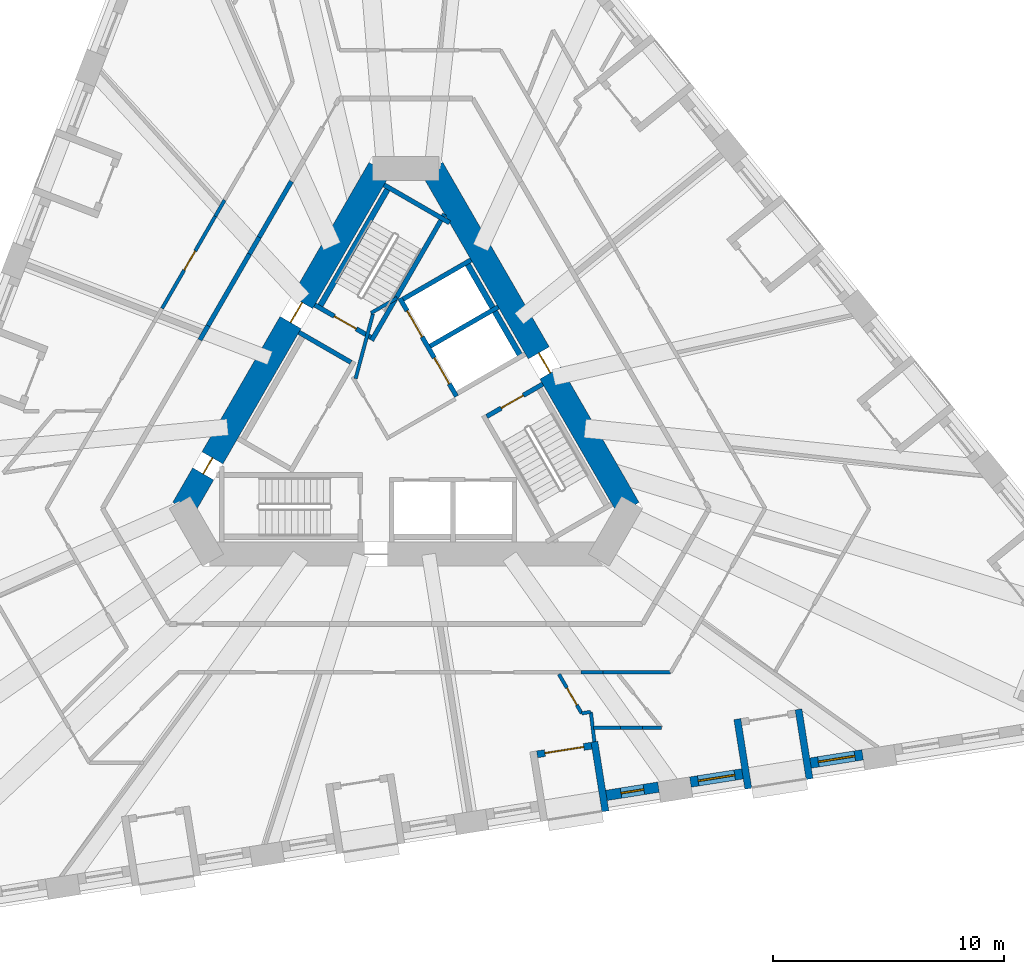
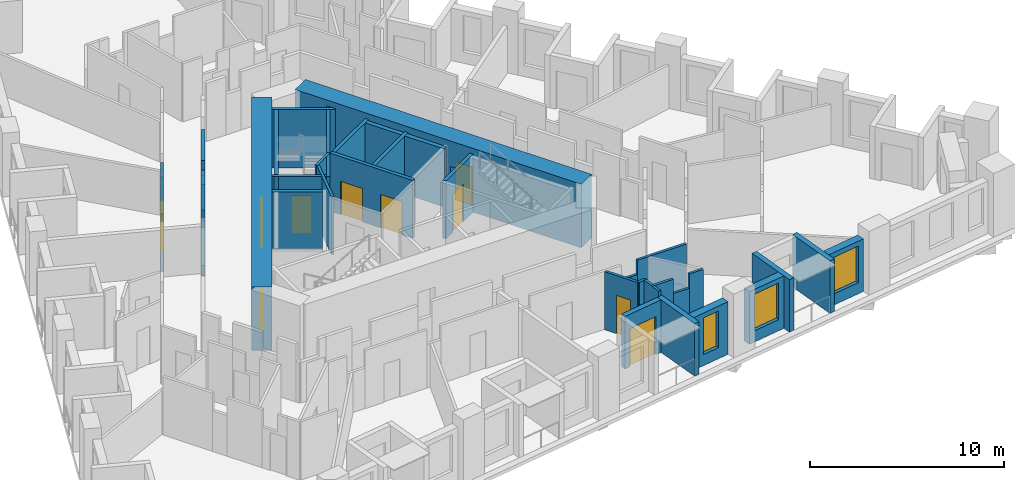
# One storey, part 5 of 14: 35 walls, 10 doors, 3 windows, 13 openings.
"""IFC4 building model written with IfcOpenShell, lengths in metres."""

from ifc_helpers import new_model, si_unit, direction, frame, frame_2d, origin, place, context, subcontext, project, spatial, rectangle, extrude, material, layer, layer_set, type_object, element, fill, save


model = new_model("IFC4")

# Units and contexts
model_context = context("Model", 3, precision=1e-05, world=origin(), true_north=direction((0.0, 1.0)))
body_context = subcontext(model_context, "Body", "Model", "MODEL_VIEW")
ifc_project = project(units=[si_unit("LENGTHUNIT", "METRE"), si_unit("AREAUNIT", "SQUARE_METRE"), si_unit("VOLUMEUNIT", "CUBIC_METRE"), si_unit("PLANEANGLEUNIT", "RADIAN"), si_unit("MASSUNIT", "GRAM", prefix="KILO")], contexts=[model_context])

# Site, building, storey
site_placement = place(None, origin())
site = spatial("IfcSite", under=ifc_project, at=site_placement, CompositionType="ELEMENT")
building_placement = place(site_placement, origin())
building = spatial("IfcBuilding", under=site, at=building_placement, Name="Tramontana Tower", CompositionType="ELEMENT")
storey_placement = place(building_placement, frame((0.0, 0.0, 55.199951171875)))
storey = spatial("IfcBuildingStorey", under=building, at=storey_placement, Name="L11", CompositionType="ELEMENT", Elevation=55.199951171875)

# Wall, openings, doors
ifc_material_1 = material(Name="Concrete 70 MPa", Category="concrete")
ifc_layer_1 = layer(ifc_material_1, 1.050048828125)
ifc_layer_set_1 = layer_set([ifc_layer_1], Name="Core wall 1050 70 MPa")
wall_type_1 = type_object("IfcWallType", Name="Core wall 1050 70 MPa", PredefinedType="SHEAR", material=ifc_layer_set_1)
wall_1_placement = place(storey_placement, frame((-1.140380859375, 10.47509765625, 0.0), z_axis=(0.0, 0.0, 1.0), x_axis=(-0.499985955615, -0.866033512162, 0.0)))
wall_1 = element("IfcWall", 1, at=wall_1_placement, inside=storey, type_object=wall_type_1, Name="Core wall C1 L11", PredefinedType="SHEAR", context=body_context, shape_type="SweptSolid", body=[
    extrude(rectangle(XDim=17.0029296875, YDim=1.050048828125, at=frame_2d((8.50146484375, 0.0))), origin(), (0.0, 0.0, 1.0), 4.0),
])
opening_1_placement = place(wall_1_placement, frame((6.70654296875, 0.0, 0.0)))
opening_1 = element("IfcOpeningElement", 2, at=opening_1_placement, cuts=wall_1, Name="Opening RG1", PredefinedType="OPENING", context=body_context, shape_type="SweptSolid", body=[
    extrude(rectangle(XDim=1.0, YDim=2.39990234375, at=frame_2d((0.5, 1.199951171875))), frame((0.0, 0.534912109375, 0.0), z_axis=(0.0, -1.0, 0.0), x_axis=(1.0, 0.0, 0.0)), (0.0, 0.0, 1.0), 1.070068359375),
])
opening_2_placement = place(wall_1_placement, frame((14.472412109375, 0.0, 0.0)))
opening_2 = element("IfcOpeningElement", 3, at=opening_2_placement, cuts=wall_1, Name="Opening PD1", PredefinedType="OPENING", context=body_context, shape_type="SweptSolid", body=[
    extrude(rectangle(XDim=0.800048828125, YDim=2.10009765625, at=frame_2d((0.39990234375, 1.050048828125))), frame((0.0, 0.534912109375, 0.0), z_axis=(0.0, -1.0, 0.0), x_axis=(1.0, 0.0, 0.0)), (0.0, 0.0, 1.0), 1.070068359375),
])
ifc_material_2 = material(Name="Painted steel", Category="steel")
door_type_1 = type_object("IfcDoorType", Name="CUPBOARD DOOR 800", OperationType="SINGLE_SWING_LEFT", PredefinedType="DOOR", material=ifc_material_2)
door_1_placement = place(opening_2_placement, origin())
door_1 = element("IfcDoor", 4, at=door_1_placement, inside=storey, type_object=door_type_1, Name="Door PD1", OperationType="SINGLE_SWING_RIGHT", OverallHeight=2.10009765625, OverallWidth=0.800048828125, PredefinedType="DOOR", context=body_context, shape_type="SweptSolid", body=[
    extrude(rectangle(XDim=0.800048828125, YDim=2.10009765625, at=frame_2d((0.39990234375, 1.050048828125))), frame((0.0, 0.02490234375, 0.0), z_axis=(0.0, -1.0, 0.0), x_axis=(1.0, 0.0, 0.0)), (0.0, 0.0, 1.0), 0.050048828125),
])
fill(opening_2, door_1)
ifc_material_3 = material(Name="Painted steel", Category="steel")
door_type_2 = type_object("IfcDoorType", Name="RING DOOR 1000", OperationType="SINGLE_SWING_LEFT", PredefinedType="DOOR", material=ifc_material_3)
door_2_placement = place(opening_1_placement, origin())
door_2 = element("IfcDoor", 5, at=door_2_placement, inside=storey, type_object=door_type_2, Name="Door RG1", OperationType="SINGLE_SWING_LEFT", OverallHeight=2.39990234375, OverallWidth=1.0, PredefinedType="DOOR", context=body_context, shape_type="SweptSolid", body=[
    extrude(rectangle(XDim=1.0, YDim=2.39990234375, at=frame_2d((0.5, 1.199951171875))), frame((0.0, 0.02490234375, 0.0), z_axis=(0.0, -1.0, 0.0), x_axis=(1.0, 0.0, 0.0)), (0.0, 0.0, 1.0), 0.050048828125),
])
fill(opening_1, door_2)

# Wall, opening, door
wall_2_placement = place(storey_placement, frame((9.6416015625, -4.25, 0.0), z_axis=(0.0, 0.0, 1.0), x_axis=(-0.499985955615, 0.866033512162, 0.0)))
wall_2 = element("IfcWall", 6, at=wall_2_placement, inside=storey, type_object=wall_type_1, Name="Core wall C5 L11", PredefinedType="SHEAR", context=body_context, shape_type="SweptSolid", body=[
    extrude(rectangle(XDim=17.0029296875, YDim=1.050048828125, at=frame_2d((8.50146484375, 0.0))), origin(), (0.0, 0.0, 1.0), 4.0),
])
opening_3_placement = place(wall_2_placement, frame((6.7763671875, 0.0, 0.0)))
opening_3 = element("IfcOpeningElement", 7, at=opening_3_placement, cuts=wall_2, Name="Opening RG3", PredefinedType="OPENING", context=body_context, shape_type="SweptSolid", body=[
    extrude(rectangle(XDim=1.0, YDim=2.39990234375, at=frame_2d((0.5, 1.199951171875))), frame((0.0, 0.534912109375, 0.0), z_axis=(0.0, -1.0, 0.0), x_axis=(1.0, 0.0, 0.0)), (0.0, 0.0, 1.0), 1.070068359375),
])
door_3_placement = place(opening_3_placement, origin())
door_3 = element("IfcDoor", 8, at=door_3_placement, inside=storey, type_object=door_type_2, Name="Door RG3", OperationType="SINGLE_SWING_LEFT", OverallHeight=2.39990234375, OverallWidth=1.0, PredefinedType="DOOR", context=body_context, shape_type="SweptSolid", body=[
    extrude(rectangle(XDim=1.0, YDim=2.39990234375, at=frame_2d((0.5, 1.199951171875))), frame((0.0, 0.02490234375, 0.0), z_axis=(0.0, -1.0, 0.0), x_axis=(1.0, 0.0, 0.0)), (0.0, 0.0, 1.0), 0.050048828125),
])
fill(opening_3, door_3)

# Walls
ifc_material_4 = material(Name="Blockwork", Category="masonry")
ifc_layer_2 = layer(ifc_material_4, 0.199951171875)
ifc_layer_set_2 = layer_set([ifc_layer_2], Name="ENTRY WALL 200")
wall_type_2 = type_object("IfcWallType", Name="ENTRY WALL 200", PredefinedType="SOLIDWALL", material=ifc_layer_set_2)
wall_3_placement = place(storey_placement, frame((-8.92041015625, 3.04931640625, 0.0), z_axis=(0.0, 0.0, 1.0), x_axis=(0.499881507708, 0.866093804534, 0.0)))
element("IfcWall", 9, at=wall_3_placement, inside=storey, type_object=wall_type_2, Name="Wall v10-ew4-3", PredefinedType="SOLIDWALL", context=body_context, shape_type="SweptSolid", body=[
    extrude(rectangle(XDim=0.708740234375, YDim=0.199951171875, at=frame_2d((0.3544921875, 0.0))), origin(), (0.0, 0.0, 1.0), 2.949951171875),
])
wall_4_placement = place(storey_placement, frame((-8.566162109375, 3.6630859375, 0.0), z_axis=(0.0, 0.0, 1.0), x_axis=(0.500013241293, 0.866017758786, 0.0)))
element("IfcWall", 10, at=wall_4_placement, inside=storey, type_object=wall_type_2, Name="Wall v10-ew4-4", PredefinedType="SOLIDWALL", context=body_context, shape_type="SweptSolid", body=[
    extrude(rectangle(XDim=3.58544921875, YDim=0.199951171875, at=frame_2d((1.792724609375, 0.0))), origin(), (0.0, 0.0, 1.0), 3.650146484375),
])
wall_5_placement = place(storey_placement, frame((-6.7734375, 6.76806640625, 0.0), z_axis=(0.0, 0.0, 1.0), x_axis=(0.500117447933, 0.865957584569, 0.0)))
element("IfcWall", 11, at=wall_5_placement, inside=storey, type_object=wall_type_2, Name="Wall v10-ew4-5", PredefinedType="SOLIDWALL", context=body_context, shape_type="SweptSolid", body=[
    extrude(rectangle(XDim=0.838134765625, YDim=0.199951171875, at=frame_2d((0.4189453125, 0.0))), origin(), (0.0, 0.0, 1.0), 2.75),
])
wall_6_placement = place(storey_placement, frame((-6.354248046875, 7.493896484375, 0.0), z_axis=(0.0, 0.0, 1.0), x_axis=(0.499964529649, 0.866045881633, 0.0)))
element("IfcWall", 12, at=wall_6_placement, inside=storey, type_object=wall_type_2, Name="Wall v10-ew4-6", PredefinedType="SOLIDWALL", context=body_context, shape_type="SweptSolid", body=[
    extrude(rectangle(XDim=2.793701171875, YDim=0.199951171875, at=frame_2d((1.39697265625, 0.0))), origin(), (0.0, 0.0, 1.0), 3.650146484375),
])

# Wall, opening, window
ifc_material_5 = material(Name="Precast concrete 60 MPa", Category="concrete")
ifc_layer_3 = layer(ifc_material_5, 0.449951171875)
ifc_layer_set_3 = layer_set([ifc_layer_3], Name="Precast concrete 60 MPa, 450 mm")
wall_type_3 = type_object("IfcWallType", Name="EW1 Stone-faced precast wall 450", PredefinedType="SOLIDWALL", material=ifc_layer_set_3)
wall_7_placement = place(storey_placement, frame((8.680908203125, -16.67236328125, 0.0), z_axis=(0.0, 0.0, 1.0), x_axis=(0.987685675151, 0.156451293065, 0.0)))
wall_7 = element("IfcWall", 13, at=wall_7_placement, inside=storey, type_object=wall_type_3, Name="External wall L11 face 1 bay 4", PredefinedType="SOLIDWALL", context=body_context, shape_type="SweptSolid", body=[
    extrude(rectangle(XDim=2.282958984375, YDim=0.449951171875, at=frame_2d((1.1416015625, 0.0))), origin(), (0.0, 0.0, 1.0), 3.300048828125),
])
opening_4_placement = place(wall_7_placement, frame((0.6416015625, 0.0, 0.699951171875)))
opening_4 = element("IfcOpeningElement", 14, at=opening_4_placement, cuts=wall_7, Name="Opening N1", PredefinedType="OPENING", context=body_context, shape_type="SweptSolid", body=[
    extrude(rectangle(XDim=1.0, YDim=2.300048828125, at=frame_2d((0.5, 1.14990234375))), frame((0.0, 0.23486328125, 0.0), z_axis=(0.0, -1.0, 0.0), x_axis=(1.0, 0.0, 0.0)), (0.0, 0.0, 1.0), 0.469970703125),
])
ifc_material_6 = material(Name="Aluminum frame, double glazing unit", Category="aluminium")
window_type_1 = type_object("IfcWindowType", Name="N1 Window 1 x 2.3", PartitioningType="SINGLE_PANEL", PredefinedType="WINDOW", material=ifc_material_6)
window_1_placement = place(opening_4_placement, origin())
window_1 = element("IfcWindow", 15, at=window_1_placement, inside=storey, type_object=window_type_1, Name="Window N1 L11 face 1 module 12", OverallHeight=2.300048828125, OverallWidth=1.0, PartitioningType="SINGLE_PANEL", PredefinedType="WINDOW", context=body_context, shape_type="SweptSolid", body=[
    extrude(rectangle(XDim=1.0, YDim=2.300048828125, at=frame_2d((0.5, 1.14990234375))), frame((0.0, 0.030029296875, 0.0), z_axis=(0.0, -1.0, 0.0), x_axis=(1.0, 0.0, 0.0)), (0.0, 0.0, 1.0), 0.06005859375),
])
fill(opening_4, window_1)

wall_8_placement = place(storey_placement, frame((12.318603515625, -16.09619140625, 0.0), z_axis=(0.0, 0.0, 1.0), x_axis=(0.987685675151, 0.156451293065, 0.0)))
wall_8 = element("IfcWall", 16, at=wall_8_placement, inside=storey, type_object=wall_type_3, Name="External wall L11 face 1 bay 5", PredefinedType="SOLIDWALL", context=body_context, shape_type="SweptSolid", body=[
    extrude(rectangle(XDim=2.282958984375, YDim=0.449951171875, at=frame_2d((1.1416015625, 0.0))), origin(), (0.0, 0.0, 1.0), 3.300048828125),
])
opening_5_placement = place(wall_8_placement, frame((0.341552734375, 0.0, 0.699951171875)))
opening_5 = element("IfcOpeningElement", 17, at=opening_5_placement, cuts=wall_8, Name="Opening M1", PredefinedType="OPENING", context=body_context, shape_type="SweptSolid", body=[
    extrude(rectangle(XDim=1.60009765625, YDim=2.300048828125, at=frame_2d((0.800048828125, 1.14990234375))), frame((0.0, 0.23486328125, 0.0), z_axis=(0.0, -1.0, 0.0), x_axis=(1.0, 0.0, 0.0)), (0.0, 0.0, 1.0), 0.469970703125),
])
ifc_material_7 = material(Name="Aluminum frame, double glazing unit", Category="aluminium")
window_type_2 = type_object("IfcWindowType", Name="M1 Window 1.6 x 2.3", PartitioningType="SINGLE_PANEL", PredefinedType="WINDOW", material=ifc_material_7)
window_2_placement = place(opening_5_placement, origin())
window_2 = element("IfcWindow", 18, at=window_2_placement, inside=storey, type_object=window_type_2, Name="Window M1 L11 face 1 module 13", OverallHeight=2.300048828125, OverallWidth=1.60009765625, PartitioningType="SINGLE_PANEL", PredefinedType="WINDOW", context=body_context, shape_type="SweptSolid", body=[
    extrude(rectangle(XDim=1.60009765625, YDim=2.300048828125, at=frame_2d((0.800048828125, 1.14990234375))), frame((0.0, 0.030029296875, 0.0), z_axis=(0.0, -1.0, 0.0), x_axis=(1.0, 0.0, 0.0)), (0.0, 0.0, 1.0), 0.06005859375),
])
fill(opening_5, window_2)

wall_9_placement = place(storey_placement, frame((17.519775390625, -15.2724609375, 0.0), z_axis=(0.0, 0.0, 1.0), x_axis=(0.987685675151, 0.156451293065, 0.0)))
wall_9 = element("IfcWall", 19, at=wall_9_placement, inside=storey, type_object=wall_type_3, Name="External wall L11 face 1 bay 5", PredefinedType="SOLIDWALL", context=body_context, shape_type="SweptSolid", body=[
    extrude(rectangle(XDim=2.282958984375, YDim=0.449951171875, at=frame_2d((1.1416015625, 0.0))), origin(), (0.0, 0.0, 1.0), 3.300048828125),
])
opening_6_placement = place(wall_9_placement, frame((0.341552734375, 0.0, 0.699951171875)))
opening_6 = element("IfcOpeningElement", 20, at=opening_6_placement, cuts=wall_9, Name="Opening M1", PredefinedType="OPENING", context=body_context, shape_type="SweptSolid", body=[
    extrude(rectangle(XDim=1.60009765625, YDim=2.300048828125, at=frame_2d((0.800048828125, 1.14990234375))), frame((0.0, 0.23486328125, 0.0), z_axis=(0.0, -1.0, 0.0), x_axis=(1.0, 0.0, 0.0)), (0.0, 0.0, 1.0), 0.469970703125),
])
window_3_placement = place(opening_6_placement, origin())
window_3 = element("IfcWindow", 21, at=window_3_placement, inside=storey, type_object=window_type_2, Name="Window M1 L11 face 1 module 15", OverallHeight=2.300048828125, OverallWidth=1.60009765625, PartitioningType="SINGLE_PANEL", PredefinedType="WINDOW", context=body_context, shape_type="SweptSolid", body=[
    extrude(rectangle(XDim=1.60009765625, YDim=2.300048828125, at=frame_2d((0.800048828125, 1.14990234375))), frame((0.0, 0.030029296875, 0.0), z_axis=(0.0, -1.0, 0.0), x_axis=(1.0, 0.0, 0.0)), (0.0, 0.0, 1.0), 0.06005859375),
])
fill(opening_6, window_3)

# Wall, opening, door
ifc_material_8 = material(Name="Precast concrete 60 MPa", Category="concrete")
ifc_layer_4 = layer(ifc_material_8, 0.300048828125)
ifc_layer_set_4 = layer_set([ifc_layer_4], Name="LW1 Stone-faced loggia wall 300")
wall_type_4 = type_object("IfcWallType", Name="LW1 Stone-faced loggia wall 300", PredefinedType="SOLIDWALL", material=ifc_layer_set_4)
wall_10_placement = place(storey_placement, frame((5.682861328125, -14.894287109375, 0.0), z_axis=(0.0, 0.0, 1.0), x_axis=(0.987688093492, 0.15643602518, 0.0)))
wall_10 = element("IfcWall", 22, at=wall_10_placement, inside=storey, type_object=wall_type_4, Name="Loggia wall L11 G1S1.10", PredefinedType="SOLIDWALL", context=body_context, shape_type="SweptSolid", body=[
    extrude(rectangle(XDim=2.383056640625, YDim=0.300048828125, at=frame_2d((1.19140625, 0.0))), origin(), (0.0, 0.0, 1.0), 3.300048828125),
])
opening_7_placement = place(wall_10_placement, frame((0.341552734375, 0.0, 0.0)))
opening_7 = element("IfcOpeningElement", 23, at=opening_7_placement, cuts=wall_10, Name="Opening BD-1S1-10", PredefinedType="OPENING", context=body_context, shape_type="SweptSolid", body=[
    extrude(rectangle(XDim=1.699951171875, YDim=2.39990234375, at=frame_2d((0.85009765625, 1.199951171875))), frame((0.0, 0.159912109375, 0.0), z_axis=(0.0, -1.0, 0.0), x_axis=(1.0, 0.0, 0.0)), (0.0, 0.0, 1.0), 0.320068359375),
])
ifc_material_9 = material(Name="Aluminum frame, double glazing unit", Category="aluminium")
door_type_3 = type_object("IfcDoorType", Name="BD1 Sliding door 1.7 x 2.4", OperationType="SLIDING_TO_LEFT", PredefinedType="DOOR", material=ifc_material_9)
door_4_placement = place(opening_7_placement, origin())
door_4 = element("IfcDoor", 24, at=door_4_placement, inside=storey, type_object=door_type_3, Name="Loggia door L11 G1S1.10", OperationType="SLIDING_TO_LEFT", OverallHeight=2.39990234375, OverallWidth=1.699951171875, PredefinedType="DOOR", context=body_context, shape_type="SweptSolid", body=[
    extrude(rectangle(XDim=1.699951171875, YDim=2.39990234375, at=frame_2d((0.85009765625, 1.199951171875))), frame((0.0, 0.02490234375, 0.0), z_axis=(0.0, -1.0, 0.0), x_axis=(1.0, 0.0, 0.0)), (0.0, 0.0, 1.0), 0.050048828125),
])
fill(opening_7, door_4)

# Walls
for number, where, z_axis, x_axis, name in (
    (25, (8.638427734375, -17.3623046875, 0.0), (0.0, 0.0, 1.0), (-0.156410600741, 0.987692120033, 0.0), "Loggia return L11 G1S1.10b"),
    (26, (14.8271484375, -16.38232421875, 0.0), (0.0, 0.0, 1.0), (-0.156410600741, 0.987692120033, 0.0), "Loggia return L11 G1S1.13a"),
    (27, (17.47705078125, -15.96240234375, 0.0), (0.0, 0.0, 1.0), (-0.156410600741, 0.987692120033, 0.0), "Loggia return L11 G1S1.13b"),
):
    element("IfcWall", number, at=place(storey_placement, frame(where, z_axis=z_axis, x_axis=x_axis)), inside=storey, type_object=wall_type_4, Name=name, PredefinedType="SOLIDWALL", context=body_context, shape_type="SweptSolid", body=[
        extrude(rectangle(XDim=3.050048828125, YDim=0.300048828125, at=frame_2d((1.52490234375, 0.0))), origin(), (0.0, 0.0, 1.0), 3.300048828125),
    ])
ifc_material_10 = material(Name="Gypsum board partition")
ifc_layer_5 = layer(ifc_material_10, 0.14990234375)
ifc_layer_set_5 = layer_set([ifc_layer_5], Name="PARTITION 150")
wall_type_5 = type_object("IfcWallType", Name="PARTITION 150", PredefinedType="PARTITIONING", material=ifc_layer_set_5)
wall_11_placement = place(storey_placement, frame((-2.177978515625, 1.372314453125, 0.0), z_axis=(0.0, 0.0, 1.0), x_axis=(0.258808958833, 0.96592852884, 0.0)))
element("IfcWall", 28, at=wall_11_placement, inside=storey, type_object=wall_type_5, Name="Wall ff-diag", PredefinedType="PARTITIONING", context=body_context, shape_type="SweptSolid", body=[
    extrude(rectangle(XDim=2.902587890625, YDim=0.14990234375, at=frame_2d((1.451171875, 0.0))), origin(), (0.0, 0.0, 1.0), 3.650146484375),
])
wall_12_placement = place(storey_placement, frame((-1.509765625, 4.21484375, 0.0), z_axis=(0.0, 0.0, 1.0), x_axis=(0.866085525409, 0.49989585183, 0.0)))
element("IfcWall", 29, at=wall_12_placement, inside=storey, type_object=wall_type_5, Name="Wall ff-end1", PredefinedType="PARTITIONING", context=body_context, shape_type="SweptSolid", body=[
    extrude(rectangle(XDim=1.300048828125, YDim=0.14990234375, at=frame_2d((0.64990234375, 0.0))), origin(), (0.0, 0.0, 1.0), 3.650146484375),
])
wall_13_placement = place(storey_placement, frame((-7.85107421875, 9.1015625, 0.0), z_axis=(0.0, 0.0, 1.0), x_axis=(-0.500052144805, -0.865995295874, 0.0)))
element("IfcWall", 30, at=wall_13_placement, inside=storey, type_object=wall_type_5, Name="Wall v10-pw16-3", PredefinedType="PARTITIONING", context=body_context, shape_type="SweptSolid", body=[
    extrude(rectangle(XDim=0.81201171875, YDim=0.14990234375, at=frame_2d((0.406005859375, 0.0))), origin(), (0.0, 0.0, 1.0), 2.75),
])

# Wall, opening, door
wall_14_placement = place(storey_placement, frame((-10.557373046875, 4.4140625, 0.0), z_axis=(0.0, 0.0, 1.0), x_axis=(0.499985815721, 0.866033592927, 0.0)))
wall_14 = element("IfcWall", 31, at=wall_14_placement, inside=storey, type_object=wall_type_5, Name="Wall v10-pw16-4", PredefinedType="PARTITIONING", context=body_context, shape_type="SweptSolid", body=[
    extrude(rectangle(XDim=4.600830078125, YDim=0.14990234375, at=frame_2d((2.30029296875, 0.0))), origin(), (0.0, 0.0, 1.0), 3.650146484375),
])
opening_8_placement = place(wall_14_placement, frame((1.92236328125, 0.0, 0.0)))
opening_8 = element("IfcOpeningElement", 32, at=opening_8_placement, cuts=wall_14, Name="Opening B1A-07", PredefinedType="OPENING", context=body_context, shape_type="SweptSolid", body=[
    extrude(rectangle(XDim=0.949951171875, YDim=2.39990234375, at=frame_2d((0.47509765625, 1.199951171875))), frame((0.0, 0.0849609375, 0.0), z_axis=(0.0, -1.0, 0.0), x_axis=(1.0, 0.0, 0.0)), (0.0, 0.0, 1.0), 0.169921875),
])
ifc_material_11 = material(Name="Painted timber", Category="wood")
door_type_4 = type_object("IfcDoorType", Name="DOOR ROOM 950", OperationType="SINGLE_SWING_LEFT", PredefinedType="DOOR", material=ifc_material_11)
door_5_placement = place(opening_8_placement, origin())
door_5 = element("IfcDoor", 33, at=door_5_placement, inside=storey, type_object=door_type_4, Name="Door B1A-07", OperationType="SINGLE_SWING_LEFT", OverallHeight=2.39990234375, OverallWidth=0.949951171875, PredefinedType="DOOR", context=body_context, shape_type="SweptSolid", body=[
    extrude(rectangle(XDim=0.949951171875, YDim=2.39990234375, at=frame_2d((0.47509765625, 1.199951171875))), frame((0.0, 0.02490234375, 0.0), z_axis=(0.0, -1.0, 0.0), x_axis=(1.0, 0.0, 0.0)), (0.0, 0.0, 1.0), 0.050048828125),
])
fill(opening_8, door_5)

wall_15_placement = place(storey_placement, frame((6.62646484375, -11.425048828125, 0.0), z_axis=(0.0, 0.0, 1.0), x_axis=(0.501747909074, -0.86501389338, 0.0)))
wall_15 = element("IfcWall", 34, at=wall_15_placement, inside=storey, type_object=wall_type_5, Name="Wall v10-pw28", PredefinedType="PARTITIONING", context=body_context, shape_type="SweptSolid", body=[
    extrude(rectangle(XDim=1.96044921875, YDim=0.14990234375, at=frame_2d((0.980224609375, 0.0))), origin(), (0.0, 0.0, 1.0), 3.650146484375),
])
opening_9_placement = place(wall_15_placement, frame((0.6904296875, 0.0, 0.0)))
opening_9 = element("IfcOpeningElement", 35, at=opening_9_placement, cuts=wall_15, Name="Opening B1A-26", PredefinedType="OPENING", context=body_context, shape_type="SweptSolid", body=[
    extrude(rectangle(XDim=0.85009765625, YDim=2.39990234375, at=frame_2d((0.425048828125, 1.199951171875))), frame((0.0, 0.0849609375, 0.0), z_axis=(0.0, -1.0, 0.0), x_axis=(1.0, 0.0, 0.0)), (0.0, 0.0, 1.0), 0.169921875),
])
ifc_material_12 = material(Name="Painted timber", Category="wood")
door_type_5 = type_object("IfcDoorType", Name="DOOR BATH 850", OperationType="SINGLE_SWING_LEFT", PredefinedType="DOOR", material=ifc_material_12)
door_6_placement = place(opening_9_placement, origin())
door_6 = element("IfcDoor", 36, at=door_6_placement, inside=storey, type_object=door_type_5, Name="Door B1A-26", OperationType="SINGLE_SWING_RIGHT", OverallHeight=2.39990234375, OverallWidth=0.85009765625, PredefinedType="DOOR", context=body_context, shape_type="SweptSolid", body=[
    extrude(rectangle(XDim=0.85009765625, YDim=2.39990234375, at=frame_2d((0.425048828125, 1.199951171875))), frame((0.0, 0.02490234375, 0.0), z_axis=(0.0, -1.0, 0.0), x_axis=(1.0, 0.0, 0.0)), (0.0, 0.0, 1.0), 0.050048828125),
])
fill(opening_9, door_6)

# Walls
wall_16_placement = place(storey_placement, frame((8.00537109375, -13.058349609375, 0.0), z_axis=(0.0, 0.0, 1.0), x_axis=(-0.987713419374, -0.156276041632, 0.0)))
element("IfcWall", 37, at=wall_16_placement, inside=storey, type_object=wall_type_5, Name="Wall v10-pw29", PredefinedType="PARTITIONING", context=body_context, shape_type="SweptSolid", body=[
    extrude(rectangle(XDim=0.39990234375, YDim=0.14990234375, at=frame_2d((0.199951171875, 0.0))), origin(), (0.0, 0.0, 1.0), 3.650146484375),
])
wall_17_placement = place(storey_placement, frame((8.161376953125, -14.349853515625, 0.0), z_axis=(0.0, 0.0, 1.0), x_axis=(-0.118226127794, 0.992986698152, 0.0)))
element("IfcWall", 38, at=wall_17_placement, inside=storey, type_object=wall_type_5, Name="Wall v10-pw30", PredefinedType="PARTITIONING", context=body_context, shape_type="SweptSolid", body=[
    extrude(rectangle(XDim=1.298828125, YDim=0.14990234375, at=frame_2d((0.6494140625, 0.0))), origin(), (0.0, 0.0, 1.0), 3.650146484375),
])
wall_18_placement = place(storey_placement, frame((11.060546875, -13.75, 0.0), z_axis=(0.0, 0.0, 1.0), x_axis=(-1.0, 0.0, 0.0)))
element("IfcWall", 39, at=wall_18_placement, inside=storey, type_object=wall_type_5, Name="Wall v10-pw34-0", PredefinedType="PARTITIONING", context=body_context, shape_type="SweptSolid", body=[
    extrude(rectangle(XDim=0.823974609375, YDim=0.14990234375, at=frame_2d((0.412109375, 0.0))), origin(), (0.0, 0.0, 1.0), 3.650146484375),
])
wall_19_placement = place(storey_placement, frame((10.236572265625, -13.75, 0.0), z_axis=(0.0, 0.0, 1.0), x_axis=(-1.0, 0.0, 0.0)))
element("IfcWall", 40, at=wall_19_placement, inside=storey, type_object=wall_type_5, Name="Wall v10-pw34-1", PredefinedType="PARTITIONING", context=body_context, shape_type="SweptSolid", body=[
    extrude(rectangle(XDim=0.950439453125, YDim=0.14990234375, at=frame_2d((0.47509765625, 0.0))), origin(), (0.0, 0.0, 1.0), 2.75),
])
wall_20_placement = place(storey_placement, frame((9.2861328125, -13.75, 0.0), z_axis=(0.0, 0.0, 1.0), x_axis=(-1.0, 0.0, 0.0)))
element("IfcWall", 41, at=wall_20_placement, inside=storey, type_object=wall_type_5, Name="Wall v10-pw34-2", PredefinedType="PARTITIONING", context=body_context, shape_type="SweptSolid", body=[
    extrude(rectangle(XDim=1.1689453125, YDim=0.14990234375, at=frame_2d((0.58447265625, 0.0))), origin(), (0.0, 0.0, 1.0), 3.650146484375),
])
wall_21_placement = place(storey_placement, frame((11.46044921875, -11.35009765625, 0.0), z_axis=(0.0, 0.0, 1.0), x_axis=(-1.0, 0.0, 0.0)))
element("IfcWall", 42, at=wall_21_placement, inside=storey, type_object=wall_type_5, Name="Wall v10-pw35-0", PredefinedType="PARTITIONING", context=body_context, shape_type="SweptSolid", body=[
    extrude(rectangle(XDim=2.927734375, YDim=0.14990234375, at=frame_2d((1.4638671875, 0.0))), origin(), (0.0, 0.0, 1.0), 3.650146484375),
])
wall_22_placement = place(storey_placement, frame((8.53271484375, -11.35009765625, 0.0), z_axis=(0.0, 0.0, 1.0), x_axis=(-1.0, 0.0, 0.0)))
element("IfcWall", 43, at=wall_22_placement, inside=storey, type_object=wall_type_5, Name="Wall v10-pw35-1", PredefinedType="PARTITIONING", context=body_context, shape_type="SweptSolid", body=[
    extrude(rectangle(XDim=0.950439453125, YDim=0.14990234375, at=frame_2d((0.47509765625, 0.0))), origin(), (0.0, 0.0, 1.0), 2.75),
])
ifc_material_13 = material(Name="Concrete 70 MPa", Category="concrete")
ifc_layer_6 = layer(ifc_material_13, 0.25)
ifc_layer_set_6 = layer_set([ifc_layer_6], Name="Concrete 70 MPa, 250 mm")
wall_type_6 = type_object("IfcWallType", Name="RC SHAFT BACK WALL 250", PredefinedType="SOLIDWALL", material=ifc_layer_set_6)
wall_23_placement = place(storey_placement, frame((-0.701416015625, 9.73486328125, 0.0), z_axis=(0.0, 0.0, 1.0), x_axis=(-0.500026960575, -0.86600983753, 0.0)))
element("IfcWall", 44, at=wall_23_placement, inside=storey, type_object=wall_type_6, Name="Wall st1-back", PredefinedType="SOLIDWALL", context=body_context, shape_type="SweptSolid", body=[
    extrude(rectangle(XDim=6.199951171875, YDim=0.25, at=frame_2d((3.10009765625, 0.0))), origin(), (0.0, 0.0, 1.0), 3.650146484375),
])
wall_24_placement = place(storey_placement, frame((5.0263671875, 2.243896484375, 0.0), z_axis=(0.0, 0.0, 1.0), x_axis=(-0.500002801628, 0.866023786258, 0.0)))
element("IfcWall", 45, at=wall_24_placement, inside=storey, type_object=wall_type_6, Name="Wall row2-back", PredefinedType="SOLIDWALL", context=body_context, shape_type="SweptSolid", body=[
    extrude(rectangle(XDim=4.89990234375, YDim=0.25, at=frame_2d((2.449951171875, 0.0))), origin(), (0.0, 0.0, 1.0), 3.650146484375),
])
ifc_material_14 = material(Name="Concrete 70 MPa", Category="concrete")
ifc_layer_7 = layer(ifc_material_14, 0.199951171875)
ifc_layer_set_7 = layer_set([ifc_layer_7], Name="Concrete 70 MPa, 200 mm")
wall_type_7 = type_object("IfcWallType", Name="RC STAIR AND SHAFT WALL 200", PredefinedType="SOLIDWALL", material=ifc_layer_set_7)
wall_25_placement = place(storey_placement, frame((1.67431640625, 8.5, 0.0), z_axis=(0.0, 0.0, 1.0), x_axis=(-0.499995607161, -0.866027939976, 0.0)))
element("IfcWall", 46, at=wall_25_placement, inside=storey, type_object=wall_type_7, Name="Wall st1-front", PredefinedType="SOLIDWALL", context=body_context, shape_type="SweptSolid", body=[
    extrude(rectangle(XDim=6.318359375, YDim=0.199951171875, at=frame_2d((3.1591796875, 0.0))), origin(), (0.0, 0.0, 1.0), 3.650146484375),
])
wall_26_placement = place(storey_placement, frame((1.892578125, 8.121826171875, 0.0), z_axis=(0.0, 0.0, 1.0), x_axis=(-0.866006986733, 0.500031897912, 0.0)))
element("IfcWall", 47, at=wall_26_placement, inside=storey, type_object=wall_type_7, Name="Wall st1-far", PredefinedType="SOLIDWALL", context=body_context, shape_type="SweptSolid", body=[
    extrude(rectangle(XDim=3.278076171875, YDim=0.199951171875, at=frame_2d((1.63916015625, 0.0))), origin(), (0.0, 0.0, 1.0), 3.650146484375),
])

# Wall, opening, door
wall_27_placement = place(storey_placement, frame((-1.521484375, 3.164794921875, 0.0), z_axis=(0.0, 0.0, 1.0), x_axis=(-0.866034573852, 0.49998411664, 0.0)))
wall_27 = element("IfcWall", 48, at=wall_27_placement, inside=storey, type_object=wall_type_7, Name="Wall st1-near", PredefinedType="SOLIDWALL", context=body_context, shape_type="SweptSolid", body=[
    extrude(rectangle(XDim=2.7998046875, YDim=0.199951171875, at=frame_2d((1.39990234375, 0.0))), origin(), (0.0, 0.0, 1.0), 3.650146484375),
])
opening_10_placement = place(wall_27_placement, frame((0.72509765625, 0.0, 0.0)))
opening_10 = element("IfcOpeningElement", 49, at=opening_10_placement, cuts=wall_27, Name="Opening SD1", PredefinedType="OPENING", context=body_context, shape_type="SweptSolid", body=[
    extrude(rectangle(XDim=1.10009765625, YDim=2.39990234375, at=frame_2d((0.550048828125, 1.199951171875))), frame((0.0, 0.10986328125, 0.0), z_axis=(0.0, -1.0, 0.0), x_axis=(1.0, 0.0, 0.0)), (0.0, 0.0, 1.0), 0.219970703125),
])
ifc_material_15 = material(Name="Painted steel", Category="steel")
door_type_6 = type_object("IfcDoorType", Name="STAIR DOOR 1100", OperationType="SINGLE_SWING_LEFT", PredefinedType="DOOR", material=ifc_material_15)
door_7_placement = place(opening_10_placement, origin())
door_7 = element("IfcDoor", 50, at=door_7_placement, inside=storey, type_object=door_type_6, Name="Door SD1", OperationType="SINGLE_SWING_RIGHT", OverallHeight=2.39990234375, OverallWidth=1.10009765625, PredefinedType="DOOR", context=body_context, shape_type="SweptSolid", body=[
    extrude(rectangle(XDim=1.10009765625, YDim=2.39990234375, at=frame_2d((0.550048828125, 1.199951171875))), frame((0.0, 0.02490234375, 0.0), z_axis=(0.0, -1.0, 0.0), x_axis=(1.0, 0.0, 0.0)), (0.0, 0.0, 1.0), 0.050048828125),
])
fill(opening_10, door_7)

wall_28_placement = place(storey_placement, frame((3.50146484375, -0.2646484375, 0.0), z_axis=(0.0, 0.0, 1.0), x_axis=(0.866034573852, 0.49998411664, 0.0)))
wall_28 = element("IfcWall", 51, at=wall_28_placement, inside=storey, type_object=wall_type_7, Name="Wall st3-near", PredefinedType="SOLIDWALL", context=body_context, shape_type="SweptSolid", body=[
    extrude(rectangle(XDim=2.7998046875, YDim=0.199951171875, at=frame_2d((1.39990234375, 0.0))), origin(), (0.0, 0.0, 1.0), 3.650146484375),
])
opening_11_placement = place(wall_28_placement, frame((0.72509765625, 0.0, 0.0)))
opening_11 = element("IfcOpeningElement", 52, at=opening_11_placement, cuts=wall_28, Name="Opening SD3", PredefinedType="OPENING", context=body_context, shape_type="SweptSolid", body=[
    extrude(rectangle(XDim=1.10009765625, YDim=2.39990234375, at=frame_2d((0.550048828125, 1.199951171875))), frame((0.0, 0.10986328125, 0.0), z_axis=(0.0, -1.0, 0.0), x_axis=(1.0, 0.0, 0.0)), (0.0, 0.0, 1.0), 0.219970703125),
])
door_8_placement = place(opening_11_placement, origin())
door_8 = element("IfcDoor", 53, at=door_8_placement, inside=storey, type_object=door_type_6, Name="Door SD3", OperationType="SINGLE_SWING_RIGHT", OverallHeight=2.39990234375, OverallWidth=1.10009765625, PredefinedType="DOOR", context=body_context, shape_type="SweptSolid", body=[
    extrude(rectangle(XDim=1.10009765625, YDim=2.39990234375, at=frame_2d((0.550048828125, 1.199951171875))), frame((0.0, 0.02490234375, 0.0), z_axis=(0.0, -1.0, 0.0), x_axis=(1.0, 0.0, 0.0)), (0.0, 0.0, 1.0), 0.050048828125),
])
fill(opening_11, door_8)

# Wall
wall_29_placement = place(storey_placement, frame((-2.379638671875, 2.078369140625, 0.0), z_axis=(0.0, 0.0, 1.0), x_axis=(-0.866062058628, 0.499936506574, 0.0)))
element("IfcWall", 54, at=wall_29_placement, inside=storey, type_object=wall_type_7, Name="Wall row0-side0", PredefinedType="SOLIDWALL", context=body_context, shape_type="SweptSolid", body=[
    extrude(rectangle(XDim=2.599853515625, YDim=0.199951171875, at=frame_2d((1.2998046875, 0.0))), origin(), (0.0, 0.0, 1.0), 3.650146484375),
])

# Wall, openings, doors
wall_30_placement = place(storey_placement, frame((2.190185546875, 0.6064453125, 0.0), z_axis=(0.0, 0.0, 1.0), x_axis=(-0.500002801628, 0.866023786258, 0.0)))
wall_30 = element("IfcWall", 55, at=wall_30_placement, inside=storey, type_object=wall_type_7, Name="Wall row2-front", PredefinedType="SOLIDWALL", context=body_context, shape_type="SweptSolid", body=[
    extrude(rectangle(XDim=4.89990234375, YDim=0.199951171875, at=frame_2d((2.449951171875, 0.0))), origin(), (0.0, 0.0, 1.0), 3.650146484375),
])
opening_12_placement = place(wall_30_placement, frame((0.625, 0.0, 0.0)))
opening_12 = element("IfcOpeningElement", 56, at=opening_12_placement, cuts=wall_30, Name="Opening LD-F1", PredefinedType="OPENING", context=body_context, shape_type="SweptSolid", body=[
    extrude(rectangle(XDim=1.300048828125, YDim=2.10009765625, at=frame_2d((0.64990234375, 1.050048828125))), frame((0.0, 0.10986328125, 0.0), z_axis=(0.0, -1.0, 0.0), x_axis=(1.0, 0.0, 0.0)), (0.0, 0.0, 1.0), 0.219970703125),
])
opening_13_placement = place(wall_30_placement, frame((2.97509765625, 0.0, 0.0)))
opening_13 = element("IfcOpeningElement", 57, at=opening_13_placement, cuts=wall_30, Name="Opening LD-F2", PredefinedType="OPENING", context=body_context, shape_type="SweptSolid", body=[
    extrude(rectangle(XDim=1.300048828125, YDim=2.10009765625, at=frame_2d((0.64990234375, 1.050048828125))), frame((0.0, 0.10986328125, 0.0), z_axis=(0.0, -1.0, 0.0), x_axis=(1.0, 0.0, 0.0)), (0.0, 0.0, 1.0), 0.219970703125),
])
ifc_material_16 = material(Name="Brushed steel", Category="steel")
door_type_7 = type_object("IfcDoorType", Name="LANDING DOOR 1300", OperationType="SINGLE_SWING_LEFT", PredefinedType="DOOR", material=ifc_material_16)
door_9_placement = place(opening_12_placement, origin())
door_9 = element("IfcDoor", 58, at=door_9_placement, inside=storey, type_object=door_type_7, Name="Door LD-F1", OperationType="SLIDING_TO_RIGHT", OverallHeight=2.10009765625, OverallWidth=1.300048828125, PredefinedType="DOOR", context=body_context, shape_type="SweptSolid", body=[
    extrude(rectangle(XDim=1.300048828125, YDim=2.10009765625, at=frame_2d((0.64990234375, 1.050048828125))), frame((0.0, 0.02490234375, 0.0), z_axis=(0.0, -1.0, 0.0), x_axis=(1.0, 0.0, 0.0)), (0.0, 0.0, 1.0), 0.050048828125),
])
fill(opening_12, door_9)
door_10_placement = place(opening_13_placement, origin())
door_10 = element("IfcDoor", 59, at=door_10_placement, inside=storey, type_object=door_type_7, Name="Door LD-F2", OperationType="SLIDING_TO_LEFT", OverallHeight=2.10009765625, OverallWidth=1.300048828125, PredefinedType="DOOR", context=body_context, shape_type="SweptSolid", body=[
    extrude(rectangle(XDim=1.300048828125, YDim=2.10009765625, at=frame_2d((0.64990234375, 1.050048828125))), frame((0.0, 0.02490234375, 0.0), z_axis=(0.0, -1.0, 0.0), x_axis=(1.0, 0.0, 0.0)), (0.0, 0.0, 1.0), 0.050048828125),
])
fill(opening_13, door_10)

# Walls
wall_31_placement = place(storey_placement, frame((1.0517578125, 2.778076171875, 0.0), z_axis=(0.0, 0.0, 1.0), x_axis=(0.866038511948, 0.499977295307, 0.0)))
element("IfcWall", 60, at=wall_31_placement, inside=storey, type_object=wall_type_7, Name="Wall row2-side1", PredefinedType="SOLIDWALL", context=body_context, shape_type="SweptSolid", body=[
    extrude(rectangle(XDim=3.400146484375, YDim=0.199951171875, at=frame_2d((1.7001953125, 0.0))), origin(), (0.0, 0.0, 1.0), 3.650146484375),
])
wall_32_placement = place(storey_placement, frame((-0.123046875, 4.813232421875, 0.0), z_axis=(0.0, 0.0, 1.0), x_axis=(0.866020560687, 0.500008388397, 0.0)))
element("IfcWall", 61, at=wall_32_placement, inside=storey, type_object=wall_type_7, Name="Wall row2-side2", PredefinedType="SOLIDWALL", context=body_context, shape_type="SweptSolid", body=[
    extrude(rectangle(XDim=3.39990234375, YDim=0.199951171875, at=frame_2d((1.699951171875, 0.0))), origin(), (0.0, 0.0, 1.0), 3.650146484375),
])

save(model, "model.ifc")
